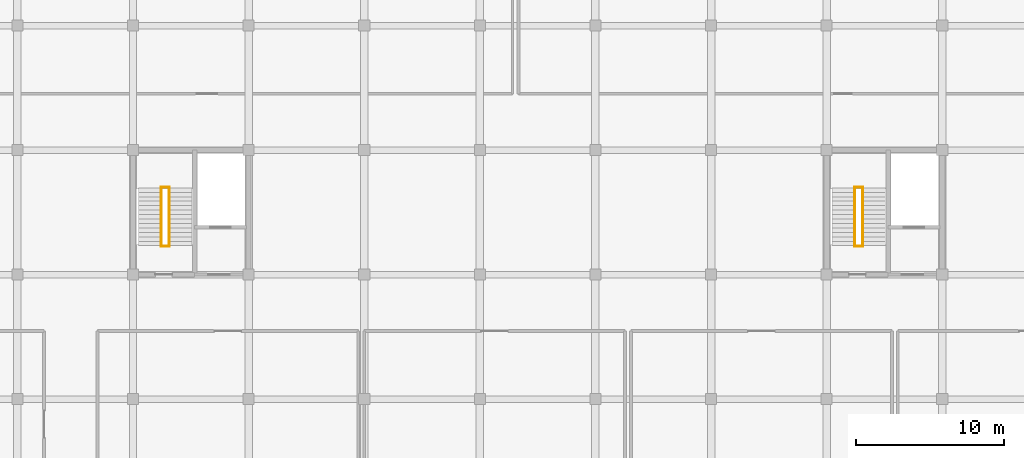
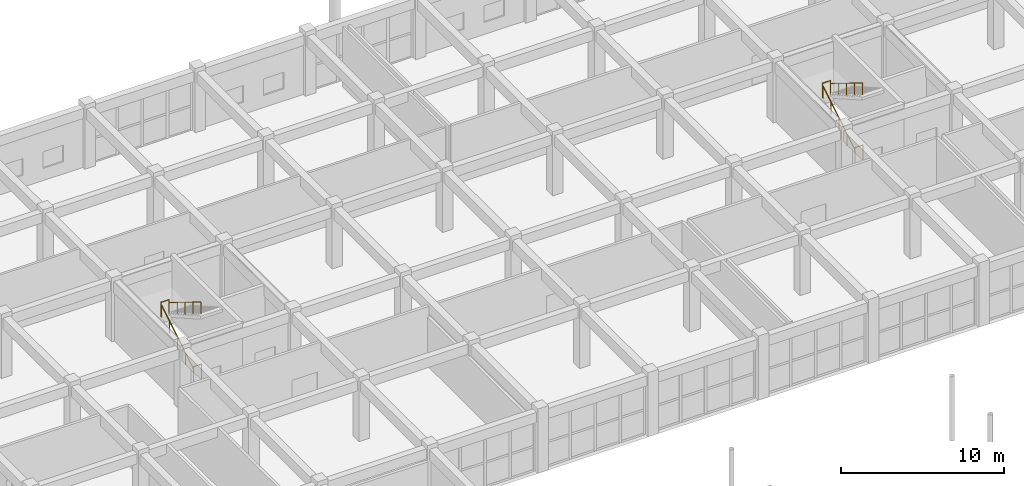
# One storey, part 174 of 175: 8 railings.
"""IFC4 building model written with IfcOpenShell, lengths in metres."""

from ifc_helpers import new_model, si_unit, direction, frame, origin, origin_2d, place, context, subcontext, project, spatial, circle, hollow_circle, extrude, material, material_profile, profile_set, type_object, element, save


model = new_model("IFC4")

# Units and contexts
model_context = context("Model", 3, precision=1e-05, world=origin(), true_north=direction((0.0, 1.0)))
body_context = subcontext(model_context, "Body", "Model", "MODEL_VIEW")
ifc_project = project(units=[si_unit("LENGTHUNIT", "METRE"), si_unit("AREAUNIT", "SQUARE_METRE"), si_unit("VOLUMEUNIT", "CUBIC_METRE"), si_unit("PLANEANGLEUNIT", "RADIAN"), si_unit("MASSUNIT", "GRAM", prefix="KILO")], contexts=[model_context])

# Site, building, storey
site_placement = place(None, origin())
site = spatial("IfcSite", under=ifc_project, at=site_placement, CompositionType="ELEMENT")
building_placement = place(site_placement, origin())
building = spatial("IfcBuilding", under=site, at=building_placement, Name="Zizhar Promenade General Hospital", CompositionType="ELEMENT")
storey_placement = place(building_placement, frame((0.0, 0.0, 4.800048828125)))
storey = spatial("IfcBuildingStorey", under=building, at=storey_placement, Name="L01", CompositionType="ELEMENT", Elevation=4.800048828125)

# Railings
ifc_material_1 = material(Name="Anodised aluminium 6063-T6", Category="aluminium")
ifc_material_profile_1 = material_profile(ifc_material_1, hollow_circle(Radius=0.06982421875, WallThickness=0.00634765625, at=origin_2d()))
ifc_profile_set_1 = profile_set([ifc_material_profile_1], Name="Anodised aluminium 6063-T6")
railing_type_1 = type_object("IfcRailingType", Name="RL-HANDRAIL-920", PredefinedType="HANDRAIL", material=ifc_profile_set_1)
railing_1_placement = place(storey_placement, frame((64.300048828125, 111.14990234375, 0.0)))
element("IfcRailing", 1, at=railing_1_placement, inside=storey, type_object=railing_type_1, Name="Stair ST-06 Flight 1 Handrail (L01)", PredefinedType="HANDRAIL", context=body_context, shape_type="SweptSolid", body=[
    extrude(circle(Radius=0.02392578125, at=origin_2d()), frame((0.0, 0.0, 0.89599609375), z_axis=(0.0, 0.851676621109, 0.524067679844), x_axis=(-1.0, 0.0, 0.0)), (0.0, 0.0, 1.0), 4.579345703125),
    extrude(circle(Radius=0.02099609375, at=origin_2d()), origin(), (0.0, 0.0, 1.0), 0.871826171875),
    extrude(circle(Radius=0.02099609375, at=origin_2d()), frame((0.0, 0.97509765625, 0.60009765625)), (0.0, 0.0, 1.0), 0.871826171875),
    extrude(circle(Radius=0.02099609375, at=origin_2d()), frame((0.0, 1.9501953125, 1.199951171875)), (0.0, 0.0, 1.0), 0.871826171875),
    extrude(circle(Radius=0.02099609375, at=origin_2d()), frame((0.0, 2.925048828125, 1.7998046875)), (0.0, 0.0, 1.0), 0.871826171875),
    extrude(circle(Radius=0.02099609375, at=origin_2d()), frame((0.0, 3.900146484375, 2.39990234375)), (0.0, 0.0, 1.0), 0.871826171875),
])
railing_2_placement = place(storey_placement, frame((64.840087890625, 115.050048828125, 2.39990234375)))
element("IfcRailing", 2, at=railing_2_placement, inside=storey, type_object=railing_type_1, Name="Stair ST-06 Flight 2 Handrail (L01)", PredefinedType="HANDRAIL", context=body_context, shape_type="SweptSolid", body=[
    extrude(circle(Radius=0.02392578125, at=origin_2d()), frame((0.0, 0.0, 0.89599609375), z_axis=(0.0, -0.851652825334, 0.524106349037), x_axis=(1.0, 0.0, 0.0)), (0.0, 0.0, 1.0), 4.57958984375),
    extrude(circle(Radius=0.02099609375, at=origin_2d()), origin(), (0.0, 0.0, 1.0), 0.871826171875),
    extrude(circle(Radius=0.02099609375, at=origin_2d()), frame((0.0, -0.97509765625, 0.60009765625)), (0.0, 0.0, 1.0), 0.871826171875),
    extrude(circle(Radius=0.02099609375, at=origin_2d()), frame((0.0, -1.9501953125, 1.2001953125)), (0.0, 0.0, 1.0), 0.871826171875),
    extrude(circle(Radius=0.02099609375, at=origin_2d()), frame((0.0, -2.925048828125, 1.800048828125)), (0.0, 0.0, 1.0), 0.871826171875),
    extrude(circle(Radius=0.02099609375, at=origin_2d()), frame((0.0, -3.900146484375, 2.400146484375)), (0.0, 0.0, 1.0), 0.871826171875),
])
railing_3_placement = place(storey_placement, frame((111.10009765625, 111.14990234375, 0.0)))
element("IfcRailing", 3, at=railing_3_placement, inside=storey, type_object=railing_type_1, Name="Stair ST-07 Flight 1 Handrail (L01)", PredefinedType="HANDRAIL", context=body_context, shape_type="SweptSolid", body=[
    extrude(circle(Radius=0.02392578125, at=origin_2d()), frame((0.0, 0.0, 0.89599609375), z_axis=(0.0, 0.851676621109, 0.524067679844), x_axis=(-1.0, 0.0, 0.0)), (0.0, 0.0, 1.0), 4.579345703125),
    extrude(circle(Radius=0.02099609375, at=origin_2d()), origin(), (0.0, 0.0, 1.0), 0.871826171875),
    extrude(circle(Radius=0.02099609375, at=origin_2d()), frame((0.0, 0.97509765625, 0.60009765625)), (0.0, 0.0, 1.0), 0.871826171875),
    extrude(circle(Radius=0.02099609375, at=origin_2d()), frame((0.0, 1.9501953125, 1.199951171875)), (0.0, 0.0, 1.0), 0.871826171875),
    extrude(circle(Radius=0.02099609375, at=origin_2d()), frame((0.0, 2.925048828125, 1.7998046875)), (0.0, 0.0, 1.0), 0.871826171875),
    extrude(circle(Radius=0.02099609375, at=origin_2d()), frame((0.0, 3.900146484375, 2.39990234375)), (0.0, 0.0, 1.0), 0.871826171875),
])
railing_4_placement = place(storey_placement, frame((111.639892578125, 115.050048828125, 2.39990234375)))
element("IfcRailing", 4, at=railing_4_placement, inside=storey, type_object=railing_type_1, Name="Stair ST-07 Flight 2 Handrail (L01)", PredefinedType="HANDRAIL", context=body_context, shape_type="SweptSolid", body=[
    extrude(circle(Radius=0.02392578125, at=origin_2d()), frame((0.0, 0.0, 0.89599609375), z_axis=(0.0, -0.851652825334, 0.524106349037), x_axis=(1.0, 0.0, 0.0)), (0.0, 0.0, 1.0), 4.57958984375),
    extrude(circle(Radius=0.02099609375, at=origin_2d()), origin(), (0.0, 0.0, 1.0), 0.871826171875),
    extrude(circle(Radius=0.02099609375, at=origin_2d()), frame((0.0, -0.97509765625, 0.60009765625)), (0.0, 0.0, 1.0), 0.871826171875),
    extrude(circle(Radius=0.02099609375, at=origin_2d()), frame((0.0, -1.9501953125, 1.2001953125)), (0.0, 0.0, 1.0), 0.871826171875),
    extrude(circle(Radius=0.02099609375, at=origin_2d()), frame((0.0, -2.925048828125, 1.800048828125)), (0.0, 0.0, 1.0), 0.871826171875),
    extrude(circle(Radius=0.02099609375, at=origin_2d()), frame((0.0, -3.900146484375, 2.400146484375)), (0.0, 0.0, 1.0), 0.871826171875),
])
ifc_material_2 = material(Name="Steel S355", Category="steel")
ifc_material_profile_2 = material_profile(ifc_material_2, hollow_circle(Radius=0.06982421875, WallThickness=0.00634765625, at=origin_2d()))
ifc_profile_set_2 = profile_set([ifc_material_profile_2], Name="Steel S355")
railing_type_2 = type_object("IfcRailingType", Name="RL-STAIR-GUARD-1100", PredefinedType="GUARDRAIL", material=ifc_profile_set_2)
for number, where, name in (
    (5, (64.280029296875, 115.090087890625, 2.39990234375), "Stair ST-06 Half-Landing Guard (L01)"),
    (6, (64.280029296875, 111.110107421875, 0.0), "Stair ST-06 Landing Well Guard (L01)"),
):
    element("IfcRailing", number, at=place(storey_placement, frame(where)), inside=storey, type_object=railing_type_2, Name=name, PredefinedType="GUARDRAIL", context=body_context, shape_type="SweptSolid", body=[
        extrude(circle(Radius=0.02392578125, at=origin_2d()), frame((0.0, 0.0, 1.076171875), z_axis=(1.0, 0.0, 0.0), x_axis=(0.0, 1.0, 0.0)), (0.0, 0.0, 1.0), 0.580078125),
        extrude(circle(Radius=0.02099609375, at=origin_2d()), origin(), (0.0, 0.0, 1.0), 1.052001953125),
        extrude(circle(Radius=0.02099609375, at=origin_2d()), frame((0.580078125, 0.0, 0.0)), (0.0, 0.0, 1.0), 1.052001953125),
    ])
for number, where, name in (
    (7, (111.080078125, 115.090087890625, 2.39990234375), "Stair ST-07 Half-Landing Guard (L01)"),
    (8, (111.080078125, 111.110107421875, 0.0), "Stair ST-07 Landing Well Guard (L01)"),
):
    element("IfcRailing", number, at=place(storey_placement, frame(where)), inside=storey, type_object=railing_type_2, Name=name, PredefinedType="GUARDRAIL", context=body_context, shape_type="SweptSolid", body=[
        extrude(circle(Radius=0.02392578125, at=origin_2d()), frame((0.0, 0.0, 1.076171875), z_axis=(1.0, 0.0, 0.0), x_axis=(0.0, 1.0, 0.0)), (0.0, 0.0, 1.0), 0.579833984375),
        extrude(circle(Radius=0.02099609375, at=origin_2d()), origin(), (0.0, 0.0, 1.0), 1.052001953125),
        extrude(circle(Radius=0.02099609375, at=origin_2d()), frame((0.579833984375, 0.0, 0.0)), (0.0, 0.0, 1.0), 1.052001953125),
    ])

save(model, "model.ifc")
